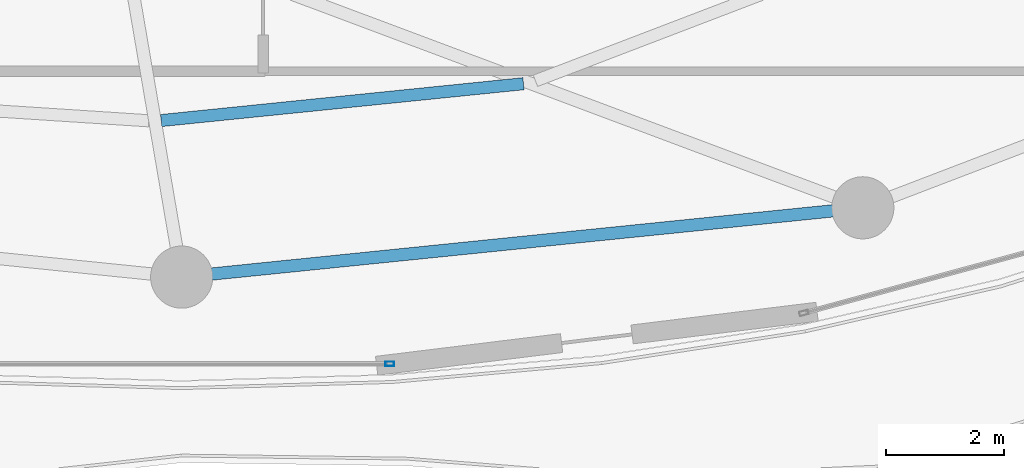
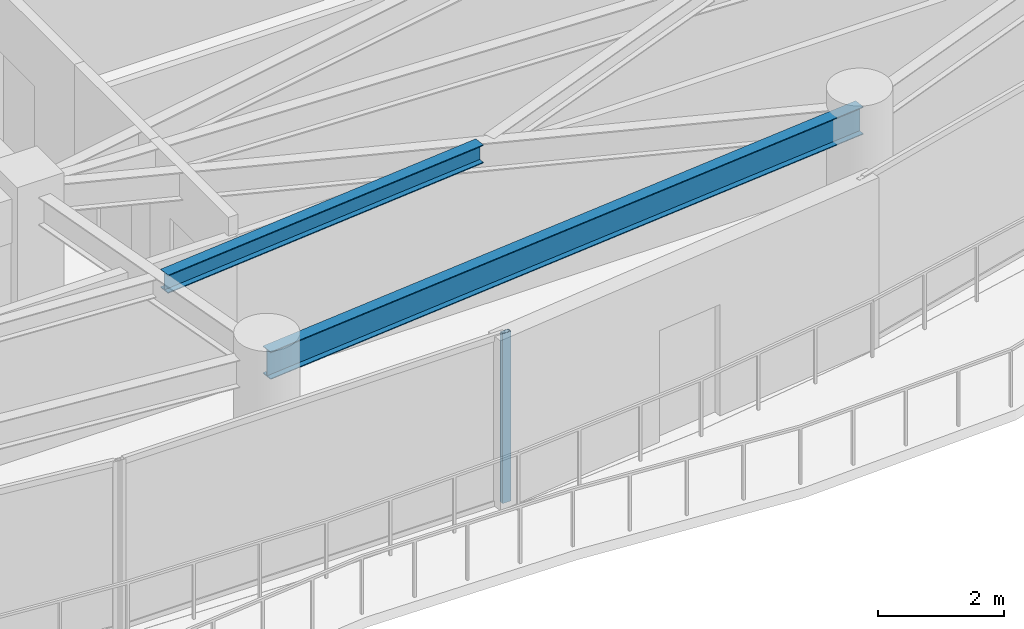
# One storey, part 9 of 29: 2 beams, 1 member, 1 element without a shape of its own.
"""IFC4 building model written with IfcOpenShell, lengths in metres."""

from ifc_helpers import new_model, si_unit, direction, frame, origin, origin_2d, place, context, subcontext, project, spatial, hollow_rectangle, i_section, extrude, material, layer, layer_set, material_profile, profile_set, type_object, element, aggregate, save


model = new_model("IFC4")

# Units and contexts
model_context = context("Model", 3, precision=1e-05, world=origin(), true_north=direction((0.0, 1.0)))
body_context = subcontext(model_context, "Body", "Model", "MODEL_VIEW")
ifc_project = project(units=[si_unit("LENGTHUNIT", "METRE"), si_unit("AREAUNIT", "SQUARE_METRE"), si_unit("VOLUMEUNIT", "CUBIC_METRE"), si_unit("PLANEANGLEUNIT", "RADIAN"), si_unit("MASSUNIT", "GRAM", prefix="KILO")], contexts=[model_context])

# Site, building, storey
site_placement = place(None, origin())
site = spatial("IfcSite", under=ifc_project, at=site_placement, CompositionType="ELEMENT")
building_placement = place(site_placement, origin())
building = spatial("IfcBuilding", under=site, at=building_placement, Name="Kazevale Care Tower and Concert Hall", CompositionType="ELEMENT")
storey_placement = place(building_placement, frame((0.0, 0.0, 249.60009765625)))
storey = spatial("IfcBuildingStorey", under=building, at=storey_placement, Name="L66", CompositionType="ELEMENT", Elevation=249.60009765625)

# Curtain wall, member
ifc_material_1 = material(Name="Aluminium 6063-T6 and Low-E Glass", Category="aluminium")
ifc_layer = layer(ifc_material_1, 0.179931640625)
ifc_layer_set = layer_set([ifc_layer], Name="Aluminium 6063-T6 and Low-E Glass")
curtain_wall_type = type_object("IfcCurtainWallType", Name="Sheltered Concave Balcony Curtain Wall CW-5", PredefinedType="NOTDEFINED", material=ifc_layer_set)
curtain_wall_placement = place(storey_placement, origin())
curtain_wall = element("IfcCurtainWall", 1, at=curtain_wall_placement, inside=storey, type_object=curtain_wall_type, Name="cw:L66:f06", PredefinedType="NOTDEFINED")
ifc_material_2 = material(Name="Aluminium 6063-T6", Category="aluminium")
ifc_material_profile_1 = material_profile(ifc_material_2, hollow_rectangle(XDim=0.074951171875, YDim=0.14990234375, WallThickness=0.00390625, at=origin_2d()), Name="ALU75x150x4")
ifc_profile_set_1 = profile_set([ifc_material_profile_1], Name="Aluminium 6063-T6")
member_type = type_object("IfcMemberType", Name="CW-5 Mullion ALU75x150x4", PredefinedType="MULLION", material=ifc_profile_set_1)
member_placement = place(storey_placement, frame((48.512451171875, 16.284912109375, 0.0), z_axis=(0.0, 0.0, 1.0), x_axis=(0.0, -1.0, 0.0)))
member = element("IfcMember", 2, at=member_placement, type_object=member_type, Name="CW-5 mullion 1", PredefinedType="MULLION", context=body_context, shape_type="SweptSolid", body=[
    extrude(hollow_rectangle(XDim=0.074951171875, YDim=0.14990234375, WallThickness=0.00390625, at=origin_2d()), origin(), (0.0, 0.0, 1.0), 3.27978515625),
])
aggregate(curtain_wall, [member])

# Beams
ifc_material_3 = material(Name="Steel ASTM A572 Gr 50", Category="steel")
ifc_material_profile_2 = material_profile(ifc_material_3, i_section(OverallWidth=0.205078125, OverallDepth=0.35400390625, WebThickness=0.009521484375, FlangeThickness=0.016845703125, at=origin_2d()), Name="W360x79")
ifc_profile_set_2 = profile_set([ifc_material_profile_2], Name="Steel ASTM A572 Gr 50")
beam_type_1 = type_object("IfcBeamType", Name="Secondary Floor Joist W360x79", PredefinedType="JOIST", material=ifc_profile_set_2)
beam_1_placement = place(storey_placement, frame((44.654052734375, 20.39306640625, 3.102783203125), z_axis=(0.994872697807, 0.10113513316, 0.0), x_axis=(-0.10113513316, 0.994872697807, 0.0)))
element("IfcBeam", 3, at=beam_1_placement, inside=storey, type_object=beam_type_1, Name="beam:L66:joist:13", PredefinedType="JOIST", context=body_context, shape_type="SweptSolid", body=[
    extrude(i_section(OverallWidth=0.205078125, OverallDepth=0.35400390625, WebThickness=0.009521484375, FlangeThickness=0.016845703125, at=origin_2d()), origin(), (0.0, 0.0, 1.0), 6.1484375),
])
ifc_material_profile_3 = material_profile(ifc_material_3, i_section(OverallWidth=0.208984375, OverallDepth=0.532958984375, WebThickness=0.01025390625, FlangeThickness=0.015625, at=origin_2d()), Name="W530x92")
ifc_profile_set_3 = profile_set([ifc_material_profile_3], Name="Steel ASTM A572 Gr 50")
beam_type_2 = type_object("IfcBeamType", Name="Upper Ring Beam W530x92", PredefinedType="BEAM", material=ifc_profile_set_3)
beam_2_placement = place(storey_placement, frame((45.0, 17.75, 3.013427734375), z_axis=(0.994865089307, 0.101209950492, 0.0), x_axis=(-0.101209950492, 0.994865089307, 0.0)))
element("IfcBeam", 4, at=beam_2_placement, inside=storey, type_object=beam_type_2, Name="beam:L66:ring:13", PredefinedType="BEAM", context=body_context, shape_type="SweptSolid", body=[
    extrude(i_section(OverallWidth=0.208984375, OverallDepth=0.532958984375, WebThickness=0.01025390625, FlangeThickness=0.015625, at=origin_2d()), origin(), (0.0, 0.0, 1.0), 11.559326171875),
])

save(model, "model.ifc")
